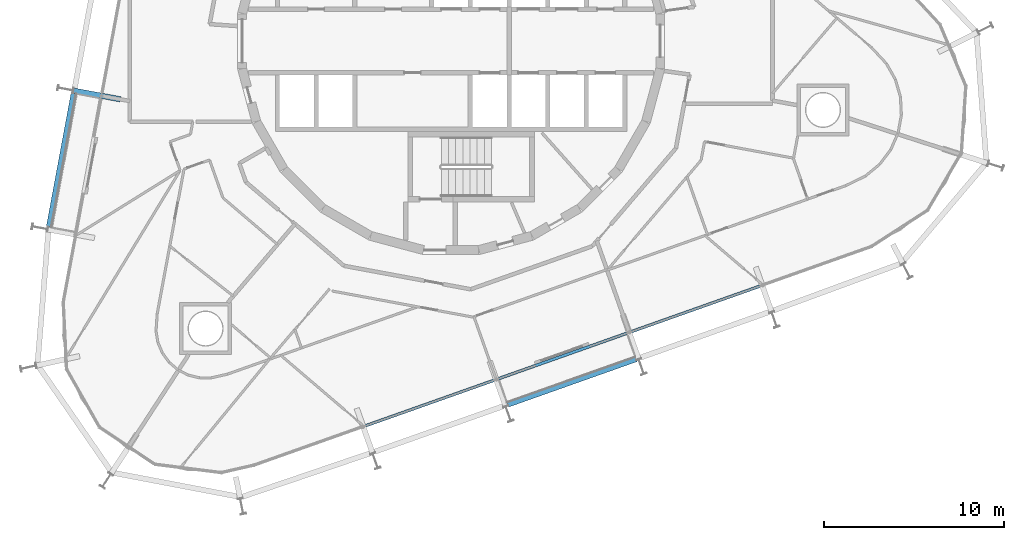
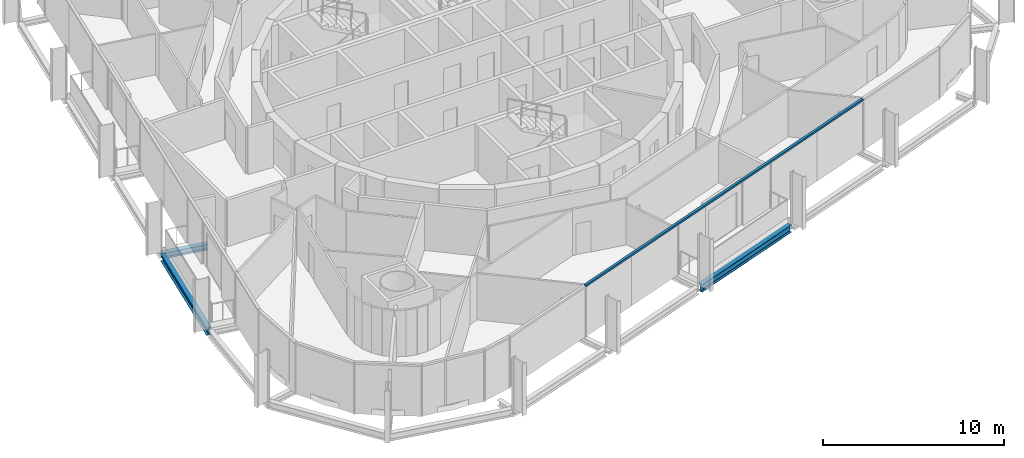
# One storey, part 3 of 17: 3 beams, 1 member, 1 element without a shape of its own.
"""IFC4 building model written with IfcOpenShell, lengths in metres."""

from ifc_helpers import new_model, si_unit, direction, frame, origin, origin_2d, place, context, subcontext, project, spatial, rectangle, i_section, extrude, material, layer, layer_set, material_profile, profile_set, type_object, element, aggregate, save


model = new_model("IFC4")

# Units and contexts
model_context = context("Model", 3, precision=1e-05, world=origin(), true_north=direction((0.0, 1.0)))
body_context = subcontext(model_context, "Body", "Model", "MODEL_VIEW")
ifc_project = project(units=[si_unit("LENGTHUNIT", "METRE"), si_unit("AREAUNIT", "SQUARE_METRE"), si_unit("VOLUMEUNIT", "CUBIC_METRE"), si_unit("PLANEANGLEUNIT", "RADIAN"), si_unit("MASSUNIT", "GRAM", prefix="KILO")], contexts=[model_context])

# Site, building, storey
site_placement = place(None, origin())
site = spatial("IfcSite", under=ifc_project, at=site_placement, CompositionType="ELEMENT")
building_placement = place(site_placement, origin())
building = spatial("IfcBuilding", under=site, at=building_placement, Name="Spindle Arch Residences", CompositionType="ELEMENT")
storey_placement = place(building_placement, frame((0.0, 0.0, 169.199951171875)))
storey = spatial("IfcBuildingStorey", under=building, at=storey_placement, Name="L42", CompositionType="ELEMENT", Elevation=169.199951171875)

# Curtain wall, member
ifc_material_1 = material(Name="Aluminium bronze unitised frame with tinted glass", Category="aluminium")
ifc_layer = layer(ifc_material_1, 0.159912109375)
ifc_layer_set = layer_set([ifc_layer], Name="CW-C typical residential unitised wall")
curtain_wall_type = type_object("IfcCurtainWallType", Name="CW-C typical residential unitised wall", PredefinedType="NOTDEFINED", material=ifc_layer_set)
curtain_wall_placement = place(storey_placement, origin())
curtain_wall = element("IfcCurtainWall", 1, at=curtain_wall_placement, inside=storey, type_object=curtain_wall_type, Name="CW-C L42 run 6", PredefinedType="NOTDEFINED")
ifc_material_2 = material(Name="Aluminium bronze anodised transom", Category="aluminium")
ifc_material_profile_1 = material_profile(ifc_material_2, rectangle(XDim=0.159912109375, YDim=0.1201171875, at=origin_2d()), Name="TR 120x160")
ifc_profile_set_1 = profile_set([ifc_material_profile_1], Name="Aluminium bronze anodised transom")
member_type = type_object("IfcMemberType", Name="Bronze transom 120x160", PredefinedType="USERDEFINED", material=ifc_profile_set_1)
member_placement = place(storey_placement, frame((-4.87255859375, -21.470947265625, 3.06005859375), z_axis=(0.94264008639, 0.333810825963, 0.0), x_axis=(-0.333810825963, 0.94264008639, 0.0)))
member = element("IfcMember", 2, at=member_placement, type_object=member_type, Name="CW-C transom 00", ObjectType="TRANSOM", PredefinedType="USERDEFINED", context=body_context, shape_type="SweptSolid", body=[
    extrude(rectangle(XDim=0.159912109375, YDim=0.1201171875, at=origin_2d()), origin(), (0.0, 0.0, 1.0), 23.520263671875),
])
aggregate(curtain_wall, [member])

# Beams
ifc_material_3 = material(Name="Steel S460ML, intumescent coating R 120", Category="steel")
ifc_material_profile_2 = material_profile(ifc_material_3, i_section(OverallWidth=0.300048828125, OverallDepth=0.5, WebThickness=0.014404296875, FlangeThickness=0.028076171875, FilletRadius=0.027099609375, at=origin_2d()), Name="HEB 500")
ifc_profile_set_2 = profile_set([ifc_material_profile_2], Name="Steel S460ML, intumescent coating R 120")
beam_type_1 = type_object("IfcBeamType", Name="Exoskeleton edge beam HEB 500", PredefinedType="BEAM", material=ifc_profile_set_2)
for number, where, z_axis, x_axis, name in (
    (3, (-21.02294921875, -2.8974609375, -0.6298828125), (-0.182234195466, -0.983255154069, 0.0), (0.983255154069, -0.182234195466, 0.0), "Exoskeleton edge beam 16"),
    (4, (3.141845703125, -20.256103515625, -0.6298828125), (0.942633964352, 0.33382811333, 0.0), (-0.33382811333, 0.942633964352, 0.0), "Exoskeleton edge beam 22"),
):
    element("IfcBeam", number, at=place(storey_placement, frame(where, z_axis=z_axis, x_axis=x_axis)), inside=storey, type_object=beam_type_1, Name=name, PredefinedType="BEAM", context=body_context, shape_type="SweptSolid", body=[
        extrude(i_section(OverallWidth=0.300048828125, OverallDepth=0.5, WebThickness=0.014404296875, FlangeThickness=0.028076171875, FilletRadius=0.027099609375, at=origin_2d()), origin(), (0.0, 0.0, 1.0), 7.60009765625),
    ])
ifc_material_4 = material(Name="Steel S460ML, intumescent coating R 120", Category="steel")
ifc_material_profile_3 = material_profile(ifc_material_4, i_section(OverallWidth=0.300048828125, OverallDepth=0.389892578125, WebThickness=0.010986328125, FlangeThickness=0.01904296875, FilletRadius=0.027099609375, at=origin_2d()), Name="HEA 400")
ifc_profile_set_3 = profile_set([ifc_material_profile_3], Name="Steel S460ML, intumescent coating R 120")
beam_type_2 = type_object("IfcBeamType", Name="Floor outrigger HEA 400", PredefinedType="BEAM", material=ifc_profile_set_3)
beam_placement = place(storey_placement, frame((-21.03857421875, -2.76220703125, -0.574951171875), z_axis=(0.983253888741, -0.182241022482, 0.0), x_axis=(0.182241022482, 0.983253888741, 0.0)))
element("IfcBeam", 5, at=beam_placement, inside=storey, type_object=beam_type_2, Name="Floor outrigger 16", PredefinedType="BEAM", context=body_context, shape_type="SweptSolid", body=[
    extrude(i_section(OverallWidth=0.300048828125, OverallDepth=0.389892578125, WebThickness=0.010986328125, FlangeThickness=0.01904296875, FilletRadius=0.027099609375, at=origin_2d()), origin(), (0.0, 0.0, 1.0), 2.64990234375),
])

save(model, "model.ifc")
